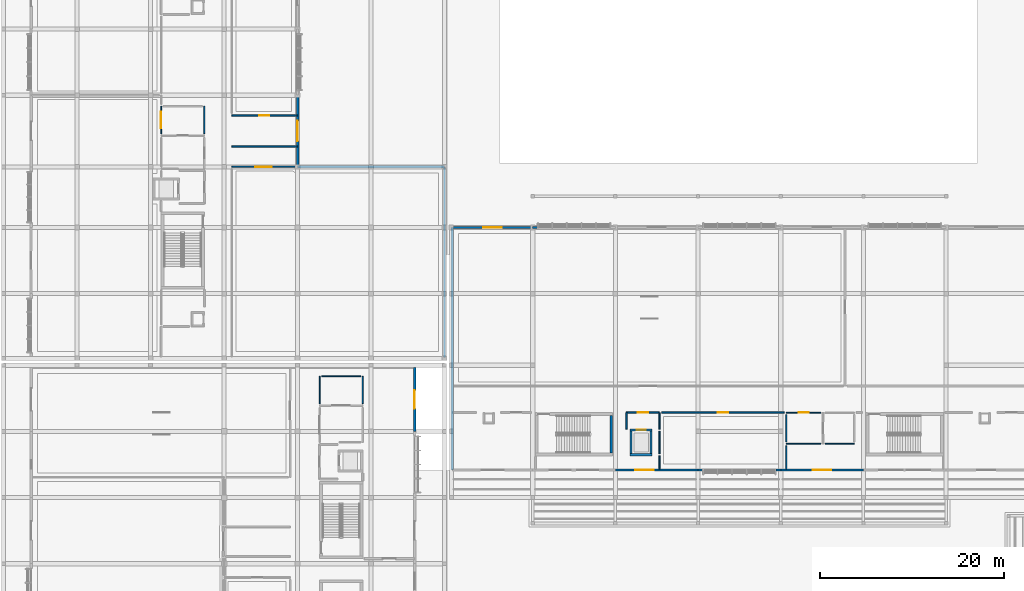
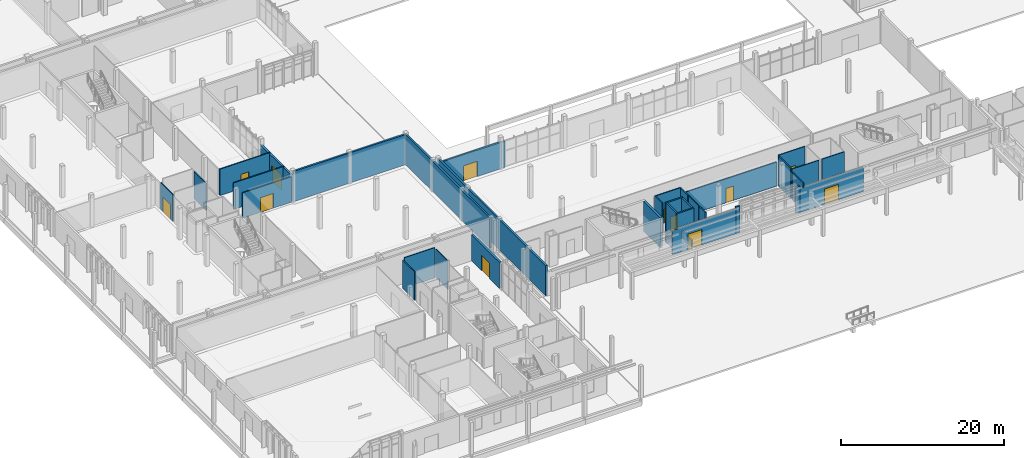
# One storey, part 118 of 151: 39 walls, 12 doors, 12 openings.
"""IFC4 building model written with IfcOpenShell, lengths in metres."""

from ifc_helpers import new_model, si_unit, direction, frame, frame_2d, origin, place, context, subcontext, project, spatial, rectangle, extrude, material, layer, layer_set, type_object, element, fill, save


model = new_model("IFC4")

# Units and contexts
model_context = context("Model", 3, precision=1e-05, world=origin(), true_north=direction((0.0, 1.0)))
body_context = subcontext(model_context, "Body", "Model", "MODEL_VIEW")
ifc_project = project(units=[si_unit("LENGTHUNIT", "METRE"), si_unit("AREAUNIT", "SQUARE_METRE"), si_unit("VOLUMEUNIT", "CUBIC_METRE"), si_unit("PLANEANGLEUNIT", "RADIAN"), si_unit("MASSUNIT", "GRAM", prefix="KILO")], contexts=[model_context])

# Site, building, storey
site_placement = place(None, origin())
site = spatial("IfcSite", under=ifc_project, at=site_placement, CompositionType="ELEMENT")
building_placement = place(site_placement, origin())
building = spatial("IfcBuilding", under=site, at=building_placement, Name="Chiffa Square Polytechnic", CompositionType="ELEMENT")
storey_placement = place(building_placement, origin())
storey = spatial("IfcBuildingStorey", under=building, at=storey_placement, Name="L00", CompositionType="ELEMENT", Elevation=0.0)

# Wall
ifc_material_1 = material(Name="Concrete C40/50", Category="concrete")
ifc_layer_1 = layer(ifc_material_1, 0.300048828125, Name="Concrete C40/50")
ifc_layer_set_1 = layer_set([ifc_layer_1], Name="Concrete C40/50")
wall_type_1 = type_object("IfcWallType", Name="WL-CORE-300", PredefinedType="SHEAR", material=ifc_layer_set_1)
wall_1_placement = place(storey_placement, frame((66.14990234375, 26.449951171875, 0.0), z_axis=(0.0, 0.0, 1.0), x_axis=(0.0, 1.0, 0.0)))
element("IfcWall", 1, at=wall_1_placement, inside=storey, type_object=wall_type_1, Name="Core or enclosure wall WC-CORE-V4A-L00-EAST", PredefinedType="SHEAR", context=body_context, shape_type="SweptSolid", body=[
    extrude(rectangle(XDim=4.10009765625, YDim=0.300048828125, at=frame_2d((2.050048828125, 0.0))), origin(), (0.0, 0.0, 1.0), 4.52001953125),
])

# Wall, opening, door
ifc_material_2 = material(Name="Precast concrete C40/50", Category="concrete")
ifc_layer_2 = layer(ifc_material_2, 0.260009765625, Name="Precast concrete C40/50")
ifc_layer_set_2 = layer_set([ifc_layer_2], Name="Precast concrete C40/50")
wall_type_2 = type_object("IfcWallType", Name="WL-EXT-PC260", PredefinedType="SOLIDWALL", material=ifc_layer_set_2)
wall_2_placement = place(storey_placement, frame((66.60009765625, 24.60009765625, 0.0), z_axis=(0.0, 0.0, 1.0), x_axis=(1.0, 0.0, 0.0)))
wall_2 = element("IfcWall", 2, at=wall_2_placement, inside=storey, type_object=wall_type_2, Name="Exterior wall WE-V4-L00-0187", PredefinedType="SOLIDWALL", context=body_context, shape_type="SweptSolid", body=[
    extrude(rectangle(XDim=9.0, YDim=0.260009765625, at=frame_2d((4.5, 0.0))), origin(), (0.0, 0.0, 1.0), 3.60498046875),
])
opening_1_placement = place(wall_2_placement, frame((2.14990234375, 0.0, 0.0)))
opening_1 = element("IfcOpeningElement", 3, at=opening_1_placement, cuts=wall_2, Name="Opening DE-L00-030", PredefinedType="OPENING", context=body_context, shape_type="SweptSolid", body=[
    extrude(rectangle(XDim=2.0, YDim=2.300048828125, at=frame_2d((1.0, 1.14990234375))), frame((0.0, 0.14013671875, 0.0), z_axis=(0.0, -1.0, 0.0), x_axis=(1.0, 0.0, 0.0)), (0.0, 0.0, 1.0), 0.280029296875),
])
ifc_material_3 = material(Name="Aluminium and laminated safety glass", Category="aluminium")
door_type_1 = type_object("IfcDoorType", Name="DR-EXIT-DBL-2000", OperationType="DOUBLE_DOOR_SINGLE_SWING", PredefinedType="DOOR", material=ifc_material_3)
door_1_placement = place(opening_1_placement, origin())
door_1 = element("IfcDoor", 4, at=door_1_placement, inside=storey, type_object=door_type_1, Name="Exterior door DE-L00-030", OperationType="DOUBLE_DOOR_SINGLE_SWING", OverallHeight=2.300048828125, OverallWidth=2.0, PredefinedType="DOOR", context=body_context, shape_type="SweptSolid", body=[
    extrude(rectangle(XDim=2.0, YDim=2.300048828125, at=frame_2d((1.0, 1.14990234375))), frame((0.0, 0.02490234375, 0.0), z_axis=(0.0, -1.0, 0.0), x_axis=(1.0, 0.0, 0.0)), (0.0, 0.0, 1.0), 0.050048828125),
])
fill(opening_1, door_1)

# Walls
wall_3_placement = place(storey_placement, frame((75.60009765625, 24.60009765625, 0.0), z_axis=(0.0, 0.0, 1.0), x_axis=(1.0, 0.0, 0.0)))
element("IfcWall", 5, at=wall_3_placement, inside=storey, type_object=wall_type_2, Name="Facade column pier V4-L00-0188L", PredefinedType="SOLIDWALL", context=body_context, shape_type="SweptSolid", body=[
    extrude(rectangle(XDim=0.539794921875, YDim=0.260009765625, at=frame_2d((0.27001953125, 0.0))), origin(), (0.0, 0.0, 1.0), 3.955078125),
])
wall_4_placement = place(storey_placement, frame((84.06005859375, 24.60009765625, 0.0), z_axis=(0.0, 0.0, 1.0), x_axis=(1.0, 0.0, 0.0)))
element("IfcWall", 6, at=wall_4_placement, inside=storey, type_object=wall_type_2, Name="Facade column pier V4-L00-0188R", PredefinedType="SOLIDWALL", context=body_context, shape_type="SweptSolid", body=[
    extrude(rectangle(XDim=0.5400390625, YDim=0.260009765625, at=frame_2d((0.27001953125, 0.0))), origin(), (0.0, 0.0, 1.0), 3.955078125),
])

# Wall, opening, door
wall_5_placement = place(storey_placement, frame((84.60009765625, 24.60009765625, 0.0), z_axis=(0.0, 0.0, 1.0), x_axis=(1.0, 0.0, 0.0)))
wall_5 = element("IfcWall", 7, at=wall_5_placement, inside=storey, type_object=wall_type_2, Name="Exterior wall WE-V4-L00-0189", PredefinedType="SOLIDWALL", context=body_context, shape_type="SweptSolid", body=[
    extrude(rectangle(XDim=9.0, YDim=0.260009765625, at=frame_2d((4.5, 0.0))), origin(), (0.0, 0.0, 1.0), 3.60498046875),
])
opening_2_placement = place(wall_5_placement, frame((3.5, 0.0, 0.0)))
opening_2 = element("IfcOpeningElement", 8, at=opening_2_placement, cuts=wall_5, Name="Opening DE-L00-031", PredefinedType="OPENING", context=body_context, shape_type="SweptSolid", body=[
    extrude(rectangle(XDim=2.0, YDim=2.300048828125, at=frame_2d((1.0, 1.14990234375))), frame((0.0, 0.14013671875, 0.0), z_axis=(0.0, -1.0, 0.0), x_axis=(1.0, 0.0, 0.0)), (0.0, 0.0, 1.0), 0.280029296875),
])
door_2_placement = place(opening_2_placement, origin())
door_2 = element("IfcDoor", 9, at=door_2_placement, inside=storey, type_object=door_type_1, Name="Exterior door DE-L00-031", OperationType="DOUBLE_DOOR_SINGLE_SWING", OverallHeight=2.300048828125, OverallWidth=2.0, PredefinedType="DOOR", context=body_context, shape_type="SweptSolid", body=[
    extrude(rectangle(XDim=2.0, YDim=2.300048828125, at=frame_2d((1.0, 1.14990234375))), frame((0.0, 0.02490234375, 0.0), z_axis=(0.0, -1.0, 0.0), x_axis=(1.0, 0.0, 0.0)), (0.0, 0.0, 1.0), 0.050048828125),
])
fill(opening_2, door_2)

# Wall
wall_6_placement = place(storey_placement, frame((58.139892578125, 51.0, 0.0), z_axis=(0.0, 0.0, 1.0), x_axis=(-1.0, 0.0, 0.0)))
element("IfcWall", 10, at=wall_6_placement, inside=storey, type_object=wall_type_2, Name="Facade column pier V4-L00-0198R", PredefinedType="SOLIDWALL", context=body_context, shape_type="SweptSolid", body=[
    extrude(rectangle(XDim=0.539794921875, YDim=0.260009765625, at=frame_2d((0.27001953125, 0.0))), origin(), (0.0, 0.0, 1.0), 3.905029296875),
])

# Wall, opening, door
wall_7_placement = place(storey_placement, frame((57.60009765625, 51.0, 0.0), z_axis=(0.0, 0.0, 1.0), x_axis=(-1.0, 0.0, 0.0)))
wall_7 = element("IfcWall", 11, at=wall_7_placement, inside=storey, type_object=wall_type_2, Name="Exterior wall WE-V4-L00-0199", PredefinedType="SOLIDWALL", context=body_context, shape_type="SweptSolid", body=[
    extrude(rectangle(XDim=8.75, YDim=0.260009765625, at=frame_2d((4.375, 0.0))), origin(), (0.0, 0.0, 1.0), 3.955078125),
])
opening_3_placement = place(wall_7_placement, frame((3.375, 0.0, 0.0)))
opening_3 = element("IfcOpeningElement", 12, at=opening_3_placement, cuts=wall_7, Name="Opening DE-L00-036", PredefinedType="OPENING", context=body_context, shape_type="SweptSolid", body=[
    extrude(rectangle(XDim=2.0, YDim=2.300048828125, at=frame_2d((1.0, 1.14990234375))), frame((0.0, 0.14013671875, 0.0), z_axis=(0.0, -1.0, 0.0), x_axis=(1.0, 0.0, 0.0)), (0.0, 0.0, 1.0), 0.280029296875),
])
door_3_placement = place(opening_3_placement, origin())
door_3 = element("IfcDoor", 13, at=door_3_placement, inside=storey, type_object=door_type_1, Name="Exterior door DE-L00-036", OperationType="DOUBLE_DOOR_SINGLE_SWING", OverallHeight=2.300048828125, OverallWidth=2.0, PredefinedType="DOOR", context=body_context, shape_type="SweptSolid", body=[
    extrude(rectangle(XDim=2.0, YDim=2.300048828125, at=frame_2d((1.0, 1.14990234375))), frame((0.0, 0.02490234375, 0.0), z_axis=(0.0, -1.0, 0.0), x_axis=(1.0, 0.0, 0.0)), (0.0, 0.0, 1.0), 0.050048828125),
])
fill(opening_3, door_3)

ifc_layer_3 = layer(ifc_material_2, 0.280029296875, Name="Precast concrete C40/50")
ifc_layer_set_3 = layer_set([ifc_layer_3], Name="Precast concrete C40/50")
wall_type_3 = type_object("IfcWallType", Name="WL-EXT-PC280", PredefinedType="SOLIDWALL", material=ifc_layer_set_3)
wall_8_placement = place(storey_placement, frame((44.75, 28.800048828125, 0.0), z_axis=(0.0, 0.0, 1.0), x_axis=(0.0, 1.0, 0.0)))
wall_8 = element("IfcWall", 14, at=wall_8_placement, inside=storey, type_object=wall_type_3, Name="Exterior wall WE-V3-L00-0141", PredefinedType="SOLIDWALL", context=body_context, shape_type="SweptSolid", body=[
    extrude(rectangle(XDim=6.949951171875, YDim=0.280029296875, at=frame_2d((3.47509765625, 0.0))), origin(), (0.0, 0.0, 1.0), 3.905029296875),
])
opening_4_placement = place(wall_8_placement, frame((2.47509765625, 0.0, 0.0)))
opening_4 = element("IfcOpeningElement", 15, at=opening_4_placement, cuts=wall_8, Name="Opening DE-L00-025", PredefinedType="OPENING", context=body_context, shape_type="SweptSolid", body=[
    extrude(rectangle(XDim=2.0, YDim=2.300048828125, at=frame_2d((1.0, 1.14990234375))), frame((0.0, 0.14990234375, 0.0), z_axis=(0.0, -1.0, 0.0), x_axis=(1.0, 0.0, 0.0)), (0.0, 0.0, 1.0), 0.300048828125),
])
door_4_placement = place(opening_4_placement, origin())
door_4 = element("IfcDoor", 16, at=door_4_placement, inside=storey, type_object=door_type_1, Name="Exterior door DE-L00-025", OperationType="DOUBLE_DOOR_SINGLE_SWING", OverallHeight=2.300048828125, OverallWidth=2.0, PredefinedType="DOOR", context=body_context, shape_type="SweptSolid", body=[
    extrude(rectangle(XDim=2.0, YDim=2.300048828125, at=frame_2d((1.0, 1.14990234375))), frame((0.0, 0.02490234375, 0.0), z_axis=(0.0, -1.0, 0.0), x_axis=(1.0, 0.0, 0.0)), (0.0, 0.0, 1.0), 0.050048828125),
])
fill(opening_4, door_4)

wall_9_placement = place(storey_placement, frame((32.0, 57.60009765625, 0.0), z_axis=(0.0, 0.0, 1.0), x_axis=(0.0, 1.0, 0.0)))
wall_9 = element("IfcWall", 17, at=wall_9_placement, inside=storey, type_object=wall_type_3, Name="Exterior wall WE-V6-L00-0393", PredefinedType="SOLIDWALL", context=body_context, shape_type="SweptSolid", body=[
    extrude(rectangle(XDim=7.7998046875, YDim=0.280029296875, at=frame_2d((3.89990234375, 0.0))), origin(), (0.0, 0.0, 1.0), 3.804931640625),
])
opening_5_placement = place(wall_9_placement, frame((2.800048828125, 0.0, 0.0)))
opening_5 = element("IfcOpeningElement", 18, at=opening_5_placement, cuts=wall_9, Name="Opening DE-L00-066", PredefinedType="OPENING", context=body_context, shape_type="SweptSolid", body=[
    extrude(rectangle(XDim=2.199951171875, YDim=2.35009765625, at=frame_2d((1.10009765625, 1.175048828125))), frame((0.0, 0.14990234375, 0.0), z_axis=(0.0, -1.0, 0.0), x_axis=(1.0, 0.0, 0.0)), (0.0, 0.0, 1.0), 0.300048828125),
])
door_type_2 = type_object("IfcDoorType", Name="DR-EXIT-DBL-2200", OperationType="DOUBLE_DOOR_SINGLE_SWING", PredefinedType="DOOR", material=ifc_material_3)
door_5_placement = place(opening_5_placement, frame((2.199951171875, 0.0, 0.0), z_axis=(0.0, 0.0, 1.0), x_axis=(-1.0, 0.0, 0.0)))
door_5 = element("IfcDoor", 19, at=door_5_placement, inside=storey, type_object=door_type_2, Name="Exterior door DE-L00-066", OperationType="DOUBLE_DOOR_SINGLE_SWING", OverallHeight=2.35009765625, OverallWidth=2.199951171875, PredefinedType="DOOR", context=body_context, shape_type="SweptSolid", body=[
    extrude(rectangle(XDim=2.199951171875, YDim=2.35009765625, at=frame_2d((1.10009765625, 1.175048828125))), frame((0.0, 0.02490234375, 0.0), z_axis=(0.0, -1.0, 0.0), x_axis=(1.0, 0.0, 0.0)), (0.0, 0.0, 1.0), 0.050048828125),
])
fill(opening_5, door_5)

# Wall
ifc_material_4 = material(Name="Gypsum board on steel stud", Category="steel")
ifc_layer_4 = layer(ifc_material_4, 0.125, Name="Gypsum board on steel stud")
ifc_layer_set_4 = layer_set([ifc_layer_4], Name="Gypsum board on steel stud")
wall_type_4 = type_object("IfcWallType", Name="WL-PART-125", PredefinedType="PARTITIONING", material=ifc_layer_set_4)
wall_10_placement = place(storey_placement, frame((71.39990234375, 26.3701171875, 0.0), z_axis=(0.0, 0.0, 1.0), x_axis=(0.0, 1.0, 0.0)))
element("IfcWall", 20, at=wall_10_placement, inside=storey, type_object=wall_type_4, Name="Interior partition WP-V4-L00-0134", PredefinedType="PARTITIONING", context=body_context, shape_type="SweptSolid", body=[
    extrude(rectangle(XDim=2.43994140625, YDim=0.125, at=frame_2d((1.219970703125, 0.0))), origin(), (0.0, 0.0, 1.0), 4.52001953125),
])

# Wall, opening, door
ifc_layer_5 = layer(ifc_material_4, 0.135009765625, Name="Gypsum board on steel stud")
ifc_layer_set_5 = layer_set([ifc_layer_5], Name="Gypsum board on steel stud")
wall_type_5 = type_object("IfcWallType", Name="WL-PART-135", PredefinedType="PARTITIONING", material=ifc_layer_set_5)
wall_11_placement = place(storey_placement, frame((24.85009765625, 57.60009765625, 0.0), z_axis=(0.0, 0.0, 1.0), x_axis=(1.0, 0.0, 0.0)))
wall_11 = element("IfcWall", 21, at=wall_11_placement, inside=storey, type_object=wall_type_5, Name="Interior partition WP-V6-L00-0187", PredefinedType="PARTITIONING", context=body_context, shape_type="SweptSolid", body=[
    extrude(rectangle(XDim=6.909912109375, YDim=0.135009765625, at=frame_2d((3.455078125, 0.0))), origin(), (0.0, 0.0, 1.0), 3.804931640625),
])
opening_6_placement = place(wall_11_placement, frame((2.554931640625, 0.0, 0.0)))
opening_6 = element("IfcOpeningElement", 22, at=opening_6_placement, cuts=wall_11, Name="Opening DI-L00-104", PredefinedType="OPENING", context=body_context, shape_type="SweptSolid", body=[
    extrude(rectangle(XDim=1.800048828125, YDim=2.199951171875, at=frame_2d((0.89990234375, 1.10009765625))), frame((0.0, 0.07763671875, 0.0), z_axis=(0.0, -1.0, 0.0), x_axis=(1.0, 0.0, 0.0)), (0.0, 0.0, 1.0), 0.155029296875),
])
ifc_material_5 = material(Name="Solid oak fire door pair")
door_type_3 = type_object("IfcDoorType", Name="DR-CORR-DBL-1800", OperationType="DOUBLE_DOOR_SINGLE_SWING", PredefinedType="DOOR", material=ifc_material_5)
door_6_placement = place(opening_6_placement, origin())
door_6 = element("IfcDoor", 23, at=door_6_placement, inside=storey, type_object=door_type_3, Name="Interior room door DI-L00-104", OperationType="DOUBLE_DOOR_SINGLE_SWING", OverallHeight=2.199951171875, OverallWidth=1.800048828125, PredefinedType="DOOR", context=body_context, shape_type="SweptSolid", body=[
    extrude(rectangle(XDim=1.800048828125, YDim=2.199951171875, at=frame_2d((0.89990234375, 1.10009765625))), frame((0.0, 0.02490234375, 0.0), z_axis=(0.0, -1.0, 0.0), x_axis=(1.0, 0.0, 0.0)), (0.0, 0.0, 1.0), 0.050048828125),
])
fill(opening_6, door_6)

# Wall
ifc_layer_6 = layer(ifc_material_4, 0.14501953125, Name="Gypsum board on steel stud")
ifc_layer_set_6 = layer_set([ifc_layer_6], Name="Gypsum board on steel stud")
wall_type_6 = type_object("IfcWallType", Name="WL-PART-145", PredefinedType="PARTITIONING", material=ifc_layer_set_6)
wall_12_placement = place(storey_placement, frame((85.199951171875, 24.655029296875, 0.0), z_axis=(0.0, 0.0, 1.0), x_axis=(0.0, 1.0, 0.0)))
element("IfcWall", 24, at=wall_12_placement, inside=storey, type_object=wall_type_6, Name="Interior partition WP-V4-L00-0135", PredefinedType="PARTITIONING", context=body_context, shape_type="SweptSolid", body=[
    extrude(rectangle(XDim=2.574951171875, YDim=0.14501953125, at=frame_2d((1.28759765625, 0.0))), origin(), (0.0, 0.0, 1.0), 4.14501953125),
])

# Wall, opening, door
ifc_material_6 = material(Name="Gypsum board on acoustic steel stud", Category="steel")
ifc_layer_7 = layer(ifc_material_6, 0.159912109375, Name="Gypsum board on acoustic steel stud")
ifc_layer_set_7 = layer_set([ifc_layer_7], Name="Gypsum board on acoustic steel stud")
wall_type_7 = type_object("IfcWallType", Name="WL-PART-EI60-160", PredefinedType="PARTITIONING", material=ifc_layer_set_7)
wall_13_placement = place(storey_placement, frame((67.800048828125, 30.85009765625, 0.0), z_axis=(0.0, 0.0, 1.0), x_axis=(1.0, 0.0, 0.0)))
wall_13 = element("IfcWall", 25, at=wall_13_placement, inside=storey, type_object=wall_type_7, Name="Lift lobby rated enclosure WP-LOB-LP-V4-L00-NORTH", PredefinedType="PARTITIONING", context=body_context, shape_type="SweptSolid", body=[
    extrude(rectangle(XDim=3.599853515625, YDim=0.159912109375, at=frame_2d((1.7998046875, 0.0))), origin(), (0.0, 0.0, 1.0), 4.52001953125),
])
opening_7_placement = place(wall_13_placement, frame((1.25, 0.0, 0.0)))
opening_7 = element("IfcOpeningElement", 26, at=opening_7_placement, cuts=wall_13, Name="Opening DI-L00-030", PredefinedType="OPENING", context=body_context, shape_type="SweptSolid", body=[
    extrude(rectangle(XDim=1.10009765625, YDim=2.14990234375, at=frame_2d((0.550048828125, 1.074951171875))), frame((0.0, 0.08984375, 0.0), z_axis=(0.0, -1.0, 0.0), x_axis=(1.0, 0.0, 0.0)), (0.0, 0.0, 1.0), 0.179931640625),
])
ifc_material_7 = material(Name="Solid core ash veneer door")
door_type_4 = type_object("IfcDoorType", Name="DR-INT-1100", OperationType="NOTDEFINED", PredefinedType="DOOR", material=ifc_material_7)
door_7_placement = place(opening_7_placement, origin())
door_7 = element("IfcDoor", 27, at=door_7_placement, inside=storey, type_object=door_type_4, Name="Lift lobby fire door DI-L00-030", OperationType="SINGLE_SWING_LEFT", OverallHeight=2.14990234375, OverallWidth=1.10009765625, PredefinedType="DOOR", context=body_context, shape_type="SweptSolid", body=[
    extrude(rectangle(XDim=1.10009765625, YDim=2.14990234375, at=frame_2d((0.550048828125, 1.074951171875))), frame((0.0, 0.02490234375, 0.0), z_axis=(0.0, -1.0, 0.0), x_axis=(1.0, 0.0, 0.0)), (0.0, 0.0, 1.0), 0.050048828125),
])
fill(opening_7, door_7)

# Walls
for number, where, z_axis, x_axis, name in (
    (28, (67.800048828125, 29.050048828125, 0.0), (0.0, 0.0, 1.0), (0.0, 1.0, 0.0), "Lift lobby rated enclosure WP-LOB-LP-V4-L00-WEST"),
    (29, (71.39990234375, 29.050048828125, 0.0), (0.0, 0.0, 1.0), (0.0, 1.0, 0.0), "Lift lobby rated enclosure WP-LOB-LP-V4-L00-EAST"),
):
    element("IfcWall", number, at=place(storey_placement, frame(where, z_axis=z_axis, x_axis=x_axis)), inside=storey, type_object=wall_type_7, Name=name, PredefinedType="PARTITIONING", context=body_context, shape_type="SweptSolid", body=[
        extrude(rectangle(XDim=1.800048828125, YDim=0.159912109375, at=frame_2d((0.89990234375, 0.0))), origin(), (0.0, 0.0, 1.0), 4.52001953125),
    ])

# Wall, opening, door
wall_14_placement = place(storey_placement, frame((71.639892578125, 30.85009765625, 0.0), z_axis=(0.0, 0.0, 1.0), x_axis=(1.0, 0.0, 0.0)))
wall_14 = element("IfcWall", 30, at=wall_14_placement, inside=storey, type_object=wall_type_7, Name="Interior partition WP-V4-L00-0132", PredefinedType="PARTITIONING", context=body_context, shape_type="SweptSolid", body=[
    extrude(rectangle(XDim=13.340087890625, YDim=0.159912109375, at=frame_2d((6.669921875, 0.0))), origin(), (0.0, 0.0, 1.0), 3.60498046875),
])
opening_8_placement = place(wall_14_placement, frame((6.1201171875, 0.0, 0.0)))
opening_8 = element("IfcOpeningElement", 31, at=opening_8_placement, cuts=wall_14, Name="Opening DI-L00-087", PredefinedType="OPENING", context=body_context, shape_type="SweptSolid", body=[
    extrude(rectangle(XDim=1.10009765625, YDim=2.14990234375, at=frame_2d((0.550048828125, 1.074951171875))), frame((0.0, 0.08984375, 0.0), z_axis=(0.0, -1.0, 0.0), x_axis=(1.0, 0.0, 0.0)), (0.0, 0.0, 1.0), 0.179931640625),
])
door_8_placement = place(opening_8_placement, origin())
door_8 = element("IfcDoor", 32, at=door_8_placement, inside=storey, type_object=door_type_4, Name="Interior room door DI-L00-087", OperationType="SINGLE_SWING_RIGHT", OverallHeight=2.14990234375, OverallWidth=1.10009765625, PredefinedType="DOOR", context=body_context, shape_type="SweptSolid", body=[
    extrude(rectangle(XDim=1.10009765625, YDim=2.14990234375, at=frame_2d((0.550048828125, 1.074951171875))), frame((0.0, 0.02490234375, 0.0), z_axis=(0.0, -1.0, 0.0), x_axis=(1.0, 0.0, 0.0)), (0.0, 0.0, 1.0), 0.050048828125),
])
fill(opening_8, door_8)

# Wall
wall_15_placement = place(storey_placement, frame((71.39990234375, 24.655029296875, 0.0), z_axis=(0.0, 0.0, 1.0), x_axis=(0.0, 1.0, 0.0)))
element("IfcWall", 33, at=wall_15_placement, inside=storey, type_object=wall_type_7, Name="Interior partition WP-V4-L00-0133", PredefinedType="PARTITIONING", context=body_context, shape_type="SweptSolid", body=[
    extrude(rectangle(XDim=1.494873046875, YDim=0.159912109375, at=frame_2d((0.74755859375, 0.0))), origin(), (0.0, 0.0, 1.0), 4.52001953125),
])

# Wall, opening, door
wall_16_placement = place(storey_placement, frame((24.85009765625, 63.199951171875, 0.0), z_axis=(0.0, 0.0, 1.0), x_axis=(1.0, 0.0, 0.0)))
wall_16 = element("IfcWall", 34, at=wall_16_placement, inside=storey, type_object=wall_type_7, Name="Interior partition WP-V6-L00-0142", PredefinedType="PARTITIONING", context=body_context, shape_type="SweptSolid", body=[
    extrude(rectangle(XDim=7.094970703125, YDim=0.159912109375, at=frame_2d((3.54736328125, 0.0))), origin(), (0.0, 0.0, 1.0), 3.955078125),
])
opening_9_placement = place(wall_16_placement, frame((2.9970703125, 0.0, 0.0)))
opening_9 = element("IfcOpeningElement", 35, at=opening_9_placement, cuts=wall_16, Name="Opening DI-L00-091", PredefinedType="OPENING", context=body_context, shape_type="SweptSolid", body=[
    extrude(rectangle(XDim=1.10009765625, YDim=2.14990234375, at=frame_2d((0.550048828125, 1.074951171875))), frame((0.0, 0.08984375, 0.0), z_axis=(0.0, -1.0, 0.0), x_axis=(1.0, 0.0, 0.0)), (0.0, 0.0, 1.0), 0.179931640625),
])
door_9_placement = place(opening_9_placement, origin())
door_9 = element("IfcDoor", 36, at=door_9_placement, inside=storey, type_object=door_type_4, Name="Interior room door DI-L00-091", OperationType="SINGLE_SWING_LEFT", OverallHeight=2.14990234375, OverallWidth=1.10009765625, PredefinedType="DOOR", context=body_context, shape_type="SweptSolid", body=[
    extrude(rectangle(XDim=1.10009765625, YDim=2.14990234375, at=frame_2d((0.550048828125, 1.074951171875))), frame((0.0, 0.02490234375, 0.0), z_axis=(0.0, -1.0, 0.0), x_axis=(1.0, 0.0, 0.0)), (0.0, 0.0, 1.0), 0.050048828125),
])
fill(opening_9, door_9)

# Walls
wall_17_placement = place(storey_placement, frame((24.85009765625, 59.800048828125, 0.0), z_axis=(0.0, 0.0, 1.0), x_axis=(1.0, 0.0, 0.0)))
element("IfcWall", 37, at=wall_17_placement, inside=storey, type_object=wall_type_7, Name="Interior partition WP-V6-L00-0221", PredefinedType="PARTITIONING", context=body_context, shape_type="SweptSolid", body=[
    extrude(rectangle(XDim=7.094970703125, YDim=0.159912109375, at=frame_2d((3.54736328125, 0.0))), origin(), (0.0, 0.0, 1.0), 3.955078125),
])
ifc_material_8 = material(Name="Moisture-resistant board partition")
ifc_layer_8 = layer(ifc_material_8, 0.1201171875, Name="Moisture-resistant board partition")
ifc_layer_set_8 = layer_set([ifc_layer_8], Name="Moisture-resistant board partition")
wall_type_8 = type_object("IfcWallType", Name="WL-PART-WC-120", PredefinedType="PARTITIONING", material=ifc_layer_set_8)
wall_18_placement = place(storey_placement, frame((89.419921875, 27.449951171875, 0.0), z_axis=(0.0, 0.0, 1.0), x_axis=(1.0, 0.0, 0.0)))
element("IfcWall", 38, at=wall_18_placement, inside=storey, type_object=wall_type_8, Name="Interior partition WP-V4-L00-0075", PredefinedType="PARTITIONING", context=body_context, shape_type="SweptSolid", body=[
    extrude(rectangle(XDim=3.18017578125, YDim=0.1201171875, at=frame_2d((1.590087890625, 0.0))), origin(), (0.0, 0.0, 1.0), 4.52001953125),
])

# Wall, opening, door
wall_19_placement = place(storey_placement, frame((85.199951171875, 30.85009765625, 0.0), z_axis=(0.0, 0.0, 1.0), x_axis=(1.0, 0.0, 0.0)))
wall_19 = element("IfcWall", 39, at=wall_19_placement, inside=storey, type_object=wall_type_8, Name="Interior partition WP-V4-L00-0081", PredefinedType="PARTITIONING", context=body_context, shape_type="SweptSolid", body=[
    extrude(rectangle(XDim=3.780029296875, YDim=0.1201171875, at=frame_2d((1.89013671875, 0.0))), origin(), (0.0, 0.0, 1.0), 4.52001953125),
])
opening_10_placement = place(wall_19_placement, frame((1.340087890625, 0.0, 0.0)))
opening_10 = element("IfcOpeningElement", 40, at=opening_10_placement, cuts=wall_19, Name="Opening DI-L00-068", PredefinedType="OPENING", context=body_context, shape_type="SweptSolid", body=[
    extrude(rectangle(XDim=1.10009765625, YDim=2.14990234375, at=frame_2d((0.550048828125, 1.074951171875))), frame((0.0, 0.070068359375, 0.0), z_axis=(0.0, -1.0, 0.0), x_axis=(1.0, 0.0, 0.0)), (0.0, 0.0, 1.0), 0.14013671875),
])
door_10_placement = place(opening_10_placement, origin())
door_10 = element("IfcDoor", 41, at=door_10_placement, inside=storey, type_object=door_type_4, Name="Interior room door DI-L00-068", OperationType="SINGLE_SWING_RIGHT", OverallHeight=2.14990234375, OverallWidth=1.10009765625, PredefinedType="DOOR", context=body_context, shape_type="SweptSolid", body=[
    extrude(rectangle(XDim=1.10009765625, YDim=2.14990234375, at=frame_2d((0.550048828125, 1.074951171875))), frame((0.0, 0.02490234375, 0.0), z_axis=(0.0, -1.0, 0.0), x_axis=(1.0, 0.0, 0.0)), (0.0, 0.0, 1.0), 0.050048828125),
])
fill(opening_10, door_10)

# Walls
wall_20_placement = place(storey_placement, frame((85.199951171875, 27.449951171875, 0.0), z_axis=(0.0, 0.0, 1.0), x_axis=(1.0, 0.0, 0.0)))
element("IfcWall", 42, at=wall_20_placement, inside=storey, type_object=wall_type_8, Name="Interior partition WP-V4-L00-0082", PredefinedType="PARTITIONING", context=body_context, shape_type="SweptSolid", body=[
    extrude(rectangle(XDim=3.780029296875, YDim=0.1201171875, at=frame_2d((1.89013671875, 0.0))), origin(), (0.0, 0.0, 1.0), 4.52001953125),
])
wall_21_placement = place(storey_placement, frame((85.199951171875, 27.669921875, 0.0), z_axis=(0.0, 0.0, 1.0), x_axis=(0.0, 1.0, 0.0)))
element("IfcWall", 43, at=wall_21_placement, inside=storey, type_object=wall_type_8, Name="Interior partition WP-V4-L00-0083", PredefinedType="PARTITIONING", context=body_context, shape_type="SweptSolid", body=[
    extrude(rectangle(XDim=2.9599609375, YDim=0.1201171875, at=frame_2d((1.47998046875, 0.0))), origin(), (0.0, 0.0, 1.0), 4.52001953125),
])
for number, where, z_axis, x_axis, name in (
    (44, (39.10009765625, 31.820068359375, 0.0), (0.0, 0.0, 1.0), (0.0, 1.0, 0.0), "Interior partition WP-V3-L00-0092"),
    (45, (34.39990234375, 31.820068359375, 0.0), (0.0, 0.0, 1.0), (0.0, 1.0, 0.0), "Interior partition WP-V3-L00-0093"),
):
    element("IfcWall", number, at=place(storey_placement, frame(where, z_axis=z_axis, x_axis=x_axis)), inside=storey, type_object=wall_type_8, Name=name, PredefinedType="PARTITIONING", context=body_context, shape_type="SweptSolid", body=[
        extrude(rectangle(XDim=2.97998046875, YDim=0.1201171875, at=frame_2d((1.489990234375, 0.0))), origin(), (0.0, 0.0, 1.0), 4.235107421875),
    ])
wall_22_placement = place(storey_placement, frame((34.6201171875, 34.800048828125, 0.0), z_axis=(0.0, 0.0, 1.0), x_axis=(1.0, 0.0, 0.0)))
element("IfcWall", 46, at=wall_22_placement, inside=storey, type_object=wall_type_8, Name="Interior partition WP-V3-L00-0094", PredefinedType="PARTITIONING", context=body_context, shape_type="SweptSolid", body=[
    extrude(rectangle(XDim=4.259765625, YDim=0.1201171875, at=frame_2d((2.1298828125, 0.0))), origin(), (0.0, 0.0, 1.0), 4.52001953125),
])
wall_23_placement = place(storey_placement, frame((21.85009765625, 61.219970703125, 0.0), z_axis=(0.0, 0.0, 1.0), x_axis=(0.0, 1.0, 0.0)))
element("IfcWall", 47, at=wall_23_placement, inside=storey, type_object=wall_type_8, Name="Interior partition WP-V6-L00-0096", PredefinedType="PARTITIONING", context=body_context, shape_type="SweptSolid", body=[
    extrude(rectangle(XDim=2.97998046875, YDim=0.1201171875, at=frame_2d((1.489990234375, 0.0))), origin(), (0.0, 0.0, 1.0), 4.06494140625),
])

# Wall, opening, door
wall_24_placement = place(storey_placement, frame((17.14990234375, 61.219970703125, 0.0), z_axis=(0.0, 0.0, 1.0), x_axis=(0.0, 1.0, 0.0)))
wall_24 = element("IfcWall", 48, at=wall_24_placement, inside=storey, type_object=wall_type_8, Name="Interior partition WP-V6-L00-0097", PredefinedType="PARTITIONING", context=body_context, shape_type="SweptSolid", body=[
    extrude(rectangle(XDim=2.97998046875, YDim=0.1201171875, at=frame_2d((1.489990234375, 0.0))), origin(), (0.0, 0.0, 1.0), 4.06494140625),
])
opening_11_placement = place(wall_24_placement, frame((0.590087890625, 0.0, 0.0)))
opening_11 = element("IfcOpeningElement", 49, at=opening_11_placement, cuts=wall_24, Name="Opening DI-L00-074", PredefinedType="OPENING", context=body_context, shape_type="SweptSolid", body=[
    extrude(rectangle(XDim=1.800048828125, YDim=2.199951171875, at=frame_2d((0.89990234375, 1.10009765625))), frame((0.0, 0.070068359375, 0.0), z_axis=(0.0, -1.0, 0.0), x_axis=(1.0, 0.0, 0.0)), (0.0, 0.0, 1.0), 0.14013671875),
])
door_11_placement = place(opening_11_placement, origin())
door_11 = element("IfcDoor", 50, at=door_11_placement, inside=storey, type_object=door_type_3, Name="Interior room door DI-L00-074", OperationType="DOUBLE_DOOR_SINGLE_SWING", OverallHeight=2.199951171875, OverallWidth=1.800048828125, PredefinedType="DOOR", context=body_context, shape_type="SweptSolid", body=[
    extrude(rectangle(XDim=1.800048828125, YDim=2.199951171875, at=frame_2d((0.89990234375, 1.10009765625))), frame((0.0, 0.02490234375, 0.0), z_axis=(0.0, -1.0, 0.0), x_axis=(1.0, 0.0, 0.0)), (0.0, 0.0, 1.0), 0.050048828125),
])
fill(opening_11, door_11)

# Walls
ifc_material_9 = material(Name="Concrete C35/45", Category="concrete")
ifc_layer_9 = layer(ifc_material_9, 0.219970703125, Name="Concrete C35/45")
ifc_layer_set_9 = layer_set([ifc_layer_9], Name="Concrete C35/45")
wall_type_9 = type_object("IfcWallType", Name="WL-SHAFT-220", PredefinedType="SHEAR", material=ifc_layer_set_9)
for number, where, z_axis, x_axis, name in (
    (51, (68.199951171875, 26.260009765625, -1.39990234375), (0.0, 0.0, 1.0), (1.0, 0.0, 0.0), "Core or enclosure wall WS-PIT-LP-V4-L00-SOUTH"),
    (52, (68.199951171875, 28.93994140625, -1.39990234375), (0.0, 0.0, 1.0), (1.0, 0.0, 0.0), "Core or enclosure wall WS-PIT-LP-V4-L00-NORTH"),
):
    element("IfcWall", number, at=place(storey_placement, frame(where, z_axis=z_axis, x_axis=x_axis)), inside=storey, type_object=wall_type_9, Name=name, PredefinedType="SHEAR", context=body_context, shape_type="SweptSolid", body=[
        extrude(rectangle(XDim=2.400146484375, YDim=0.219970703125, at=frame_2d((1.2001953125, 0.0))), origin(), (0.0, 0.0, 1.0), 1.0498046875),
    ])
for number, where, z_axis, x_axis, name in (
    (53, (68.31005859375, 26.3701171875, -1.39990234375), (0.0, 0.0, 1.0), (0.0, 1.0, 0.0), "Core or enclosure wall WS-PIT-LP-V4-L00-WEST"),
    (54, (70.489990234375, 26.3701171875, -1.39990234375), (0.0, 0.0, 1.0), (0.0, 1.0, 0.0), "Core or enclosure wall WS-PIT-LP-V4-L00-EAST"),
):
    element("IfcWall", number, at=place(storey_placement, frame(where, z_axis=z_axis, x_axis=x_axis)), inside=storey, type_object=wall_type_9, Name=name, PredefinedType="SHEAR", context=body_context, shape_type="SweptSolid", body=[
        extrude(rectangle(XDim=2.4599609375, YDim=0.219970703125, at=frame_2d((1.22998046875, 0.0))), origin(), (0.0, 0.0, 1.0), 1.0498046875),
    ])
wall_25_placement = place(storey_placement, frame((68.199951171875, 26.260009765625, 0.0), z_axis=(0.0, 0.0, 1.0), x_axis=(1.0, 0.0, 0.0)))
element("IfcWall", 55, at=wall_25_placement, inside=storey, type_object=wall_type_9, Name="Core or enclosure wall WS-LP-V4-L00-SOUTH", PredefinedType="SHEAR", context=body_context, shape_type="SweptSolid", body=[
    extrude(rectangle(XDim=2.400146484375, YDim=0.219970703125, at=frame_2d((1.2001953125, 0.0))), origin(), (0.0, 0.0, 1.0), 4.52001953125),
])

# Wall, opening, door
wall_26_placement = place(storey_placement, frame((68.199951171875, 28.93994140625, 0.0), z_axis=(0.0, 0.0, 1.0), x_axis=(1.0, 0.0, 0.0)))
wall_26 = element("IfcWall", 56, at=wall_26_placement, inside=storey, type_object=wall_type_9, Name="Core or enclosure wall WS-LP-V4-L00-NORTH", PredefinedType="SHEAR", context=body_context, shape_type="SweptSolid", body=[
    extrude(rectangle(XDim=2.400146484375, YDim=0.219970703125, at=frame_2d((1.2001953125, 0.0))), origin(), (0.0, 0.0, 1.0), 4.52001953125),
])
opening_12_placement = place(wall_26_placement, frame((0.699951171875, 0.0, 0.0)))
opening_12 = element("IfcOpeningElement", 57, at=opening_12_placement, cuts=wall_26, Name="Opening LD-LP-V4-L00", PredefinedType="OPENING", context=body_context, shape_type="SweptSolid", body=[
    extrude(rectangle(XDim=1.0, YDim=2.14990234375, at=frame_2d((0.5, 1.074951171875))), frame((0.0, 0.1201171875, 0.0), z_axis=(0.0, -1.0, 0.0), x_axis=(1.0, 0.0, 0.0)), (0.0, 0.0, 1.0), 0.239990234375),
])
ifc_material_10 = material(Name="Brushed stainless steel sliding landing door", Category="steel")
door_type_5 = type_object("IfcDoorType", Name="DR-LIFT-1000", OperationType="SLIDING_TO_RIGHT", PredefinedType="DOOR", material=ifc_material_10)
door_12_placement = place(opening_12_placement, origin())
door_12 = element("IfcDoor", 58, at=door_12_placement, inside=storey, type_object=door_type_5, Name="Enclosure door LD-LP-V4-L00", OperationType="SLIDING_TO_RIGHT", OverallHeight=2.14990234375, OverallWidth=1.0, PredefinedType="DOOR", context=body_context, shape_type="SweptSolid", body=[
    extrude(rectangle(XDim=1.0, YDim=2.14990234375, at=frame_2d((0.5, 1.074951171875))), frame((0.0, 0.02490234375, 0.0), z_axis=(0.0, -1.0, 0.0), x_axis=(1.0, 0.0, 0.0)), (0.0, 0.0, 1.0), 0.050048828125),
])
fill(opening_12, door_12)

# Walls
for number, where, z_axis, x_axis, name in (
    (59, (68.31005859375, 26.3701171875, 0.0), (0.0, 0.0, 1.0), (0.0, 1.0, 0.0), "Core or enclosure wall WS-LP-V4-L00-WEST"),
    (60, (70.489990234375, 26.3701171875, 0.0), (0.0, 0.0, 1.0), (0.0, 1.0, 0.0), "Core or enclosure wall WS-LP-V4-L00-EAST"),
):
    element("IfcWall", number, at=place(storey_placement, frame(where, z_axis=z_axis, x_axis=x_axis)), inside=storey, type_object=wall_type_9, Name=name, PredefinedType="SHEAR", context=body_context, shape_type="SweptSolid", body=[
        extrude(rectangle(XDim=2.4599609375, YDim=0.219970703125, at=frame_2d((1.22998046875, 0.0))), origin(), (0.0, 0.0, 1.0), 4.52001953125),
    ])
ifc_layer_10 = layer(ifc_material_9, 0.25, Name="Concrete C35/45")
ifc_layer_set_10 = layer_set([ifc_layer_10], Name="Concrete C35/45")
wall_type_10 = type_object("IfcWallType", Name="WL-SJ-250", PredefinedType="SHEAR", material=ifc_layer_set_10)
wall_27_placement = place(storey_placement, frame((48.85009765625, 51.0, 0.0), z_axis=(0.0, 0.0, 1.0), x_axis=(0.0, -1.0, 0.0)))
element("IfcWall", 61, at=wall_27_placement, inside=storey, type_object=wall_type_10, Name="Seismic-joint fire wall WE-V4-L00-0200", PredefinedType="SHEAR", context=body_context, shape_type="SweptSolid", body=[
    extrude(rectangle(XDim=26.39990234375, YDim=0.25, at=frame_2d((13.199951171875, 0.0))), origin(), (0.0, 0.0, 1.0), 4.52001953125),
])
wall_28_placement = place(storey_placement, frame((48.0, 36.85009765625, 0.0), z_axis=(0.0, 0.0, 1.0), x_axis=(0.0, 1.0, 0.0)))
element("IfcWall", 62, at=wall_28_placement, inside=storey, type_object=wall_type_10, Name="Seismic-joint fire wall WE-V6-L00-0391", PredefinedType="SHEAR", context=body_context, shape_type="SweptSolid", body=[
    extrude(rectangle(XDim=20.75, YDim=0.25, at=frame_2d((10.375, 0.0))), origin(), (0.0, 0.0, 1.0), 4.52001953125),
])
wall_29_placement = place(storey_placement, frame((48.0, 57.60009765625, 0.0), z_axis=(0.0, 0.0, 1.0), x_axis=(-1.0, 0.0, 0.0)))
element("IfcWall", 63, at=wall_29_placement, inside=storey, type_object=wall_type_10, Name="Seismic-joint fire wall WE-V6-L00-0392", PredefinedType="SHEAR", context=body_context, shape_type="SweptSolid", body=[
    extrude(rectangle(XDim=16.0, YDim=0.25, at=frame_2d((8.0, 0.0))), origin(), (0.0, 0.0, 1.0), 4.52001953125),
])

save(model, "model.ifc")
